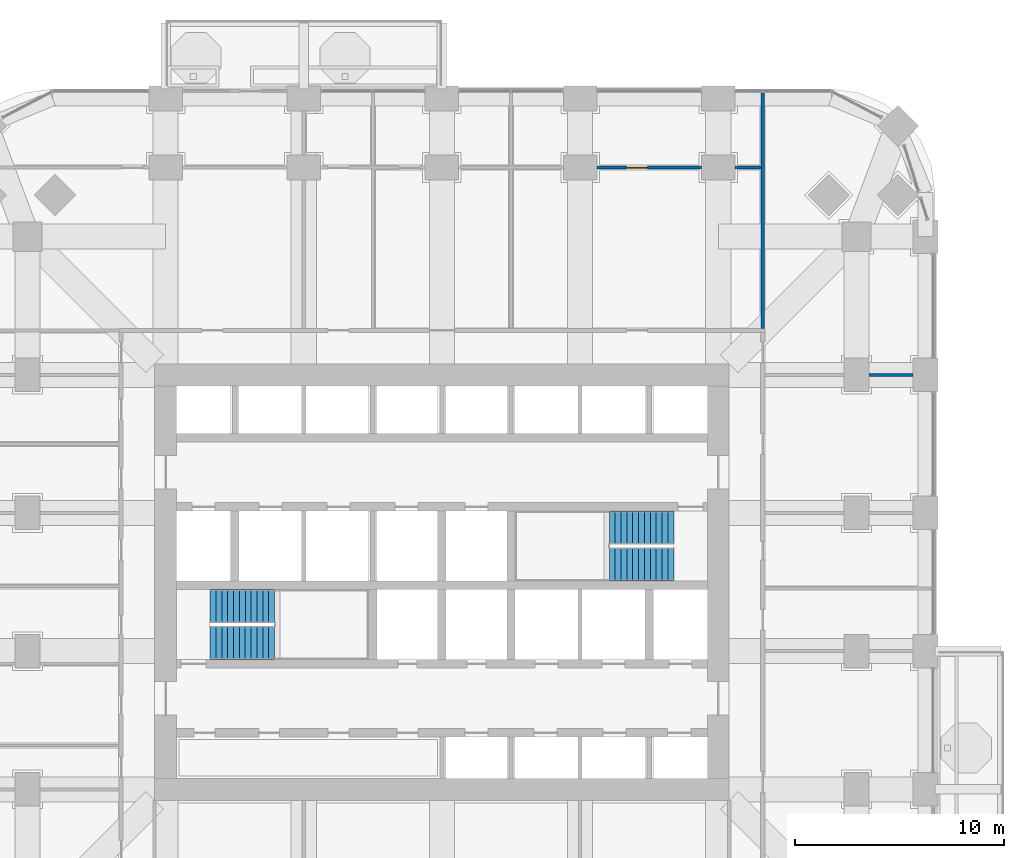
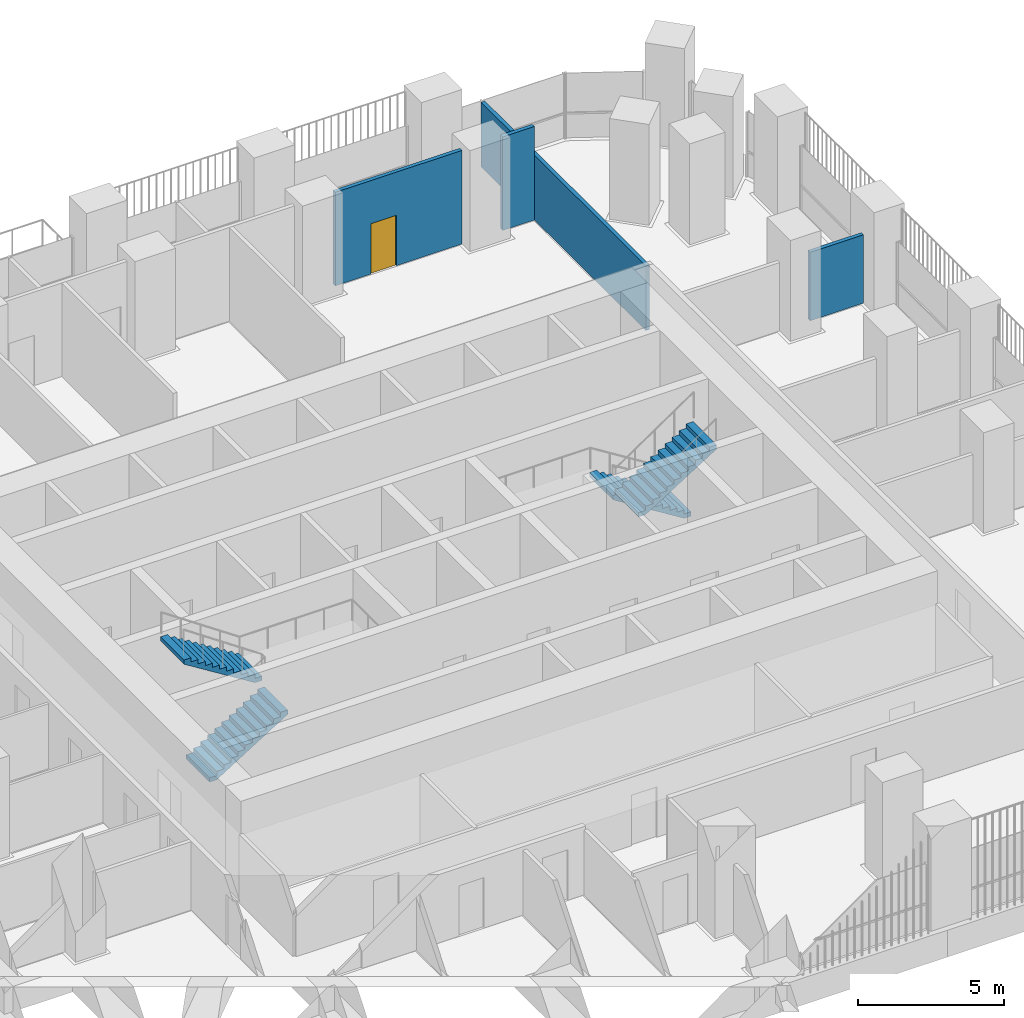
# One storey, part 16 of 21: 4 stair flights, 4 walls, 1 door, 1 opening, 2 elements without a shape of their own.
"""IFC4 building model written with IfcOpenShell, lengths in metres."""

from ifc_helpers import new_model, si_unit, direction, frame, frame_2d, origin, place, context, subcontext, project, spatial, polyline, rectangle, outline, extrude, material, layer, layer_set, type_object, element, fill, aggregate, save


model = new_model("IFC4")

# Units and contexts
model_context = context("Model", 3, precision=1e-05, world=origin(), true_north=direction((0.0, 1.0)))
body_context = subcontext(model_context, "Body", "Model", "MODEL_VIEW")
ifc_project = project(units=[si_unit("LENGTHUNIT", "METRE"), si_unit("AREAUNIT", "SQUARE_METRE"), si_unit("VOLUMEUNIT", "CUBIC_METRE"), si_unit("PLANEANGLEUNIT", "RADIAN"), si_unit("MASSUNIT", "GRAM", prefix="KILO")], contexts=[model_context])

# Site, building, storey
site_placement = place(None, origin())
site = spatial("IfcSite", under=ifc_project, at=site_placement, CompositionType="ELEMENT")
building_placement = place(site_placement, origin())
building = spatial("IfcBuilding", under=site, at=building_placement, Name="Cobogo Forest Laboratory Tower", CompositionType="ELEMENT")
storey_placement = place(building_placement, frame((0.0, 0.0, 90.60009765625)))
storey = spatial("IfcBuildingStorey", under=building, at=storey_placement, Name="L20", CompositionType="ELEMENT", Elevation=90.60009765625)

# Walls
ifc_material_1 = material(Name="Gypsum board on steel studs", Category="steel")
ifc_layer = layer(ifc_material_1, 0.14990234375)
ifc_layer_set = layer_set([ifc_layer], Name="PT1 laboratory partition 150")
wall_type = type_object("IfcWallType", Name="PT1 laboratory partition 150", PredefinedType="PARTITIONING", material=ifc_layer_set)
wall_1_placement = place(storey_placement, frame((41.72509765625, 46.469970703125, 0.0), z_axis=(0.0, 0.0, 1.0), x_axis=(0.0, -1.0, 0.0)))
element("IfcWall", 1, at=wall_1_placement, inside=storey, type_object=wall_type, Name="Partition PW-NE L20", PredefinedType="PARTITIONING", context=body_context, shape_type="SweptSolid", body=[
    extrude(rectangle(XDim=11.244873046875, YDim=0.14990234375, at=frame_2d((5.62255859375, 0.0))), origin(), (0.0, 0.0, 1.0), 2.699951171875),
])
wall_2_placement = place(storey_placement, frame((48.89990234375, 33.0, 0.0), z_axis=(0.0, 0.0, 1.0), x_axis=(-1.0, 0.0, 0.0)))
element("IfcWall", 2, at=wall_2_placement, inside=storey, type_object=wall_type, Name="Partition CUT-E33-1 L20", PredefinedType="PARTITIONING", context=body_context, shape_type="SweptSolid", body=[
    extrude(rectangle(XDim=2.099853515625, YDim=0.14990234375, at=frame_2d((1.0498046875, 0.0))), origin(), (0.0, 0.0, 1.0), 2.849853515625),
])
wall_3_placement = place(storey_placement, frame((41.64990234375, 42.89990234375, 0.0), z_axis=(0.0, 0.0, 1.0), x_axis=(-1.0, 0.0, 0.0)))
element("IfcWall", 3, at=wall_3_placement, inside=storey, type_object=wall_type, Name="Partition STRIP-N-1 L20", PredefinedType="PARTITIONING", context=body_context, shape_type="SweptSolid", body=[
    extrude(rectangle(XDim=1.25, YDim=0.14990234375, at=frame_2d((0.625, 0.0))), origin(), (0.0, 0.0, 1.0), 3.89990234375),
])

# Wall, opening, door
wall_4_placement = place(storey_placement, frame((38.800048828125, 42.89990234375, 0.0), z_axis=(0.0, 0.0, 1.0), x_axis=(-1.0, 0.0, 0.0)))
wall_4 = element("IfcWall", 4, at=wall_4_placement, inside=storey, type_object=wall_type, Name="Partition STRIP-N-2 L20", PredefinedType="PARTITIONING", context=body_context, shape_type="SweptSolid", body=[
    extrude(rectangle(XDim=5.0, YDim=0.14990234375, at=frame_2d((2.5, 0.0))), origin(), (0.0, 0.0, 1.0), 3.89990234375),
])
opening_placement = place(wall_4_placement, frame((2.58740234375, 0.0, 0.0)))
opening = element("IfcOpeningElement", 5, at=opening_placement, cuts=wall_4, Name="Opening L20-D44", PredefinedType="OPENING", context=body_context, shape_type="SweptSolid", body=[
    extrude(rectangle(XDim=1.0, YDim=2.10009765625, at=frame_2d((0.5, 1.050048828125))), frame((0.0, 0.0849609375, 0.0), z_axis=(0.0, -1.0, 0.0), x_axis=(1.0, 0.0, 0.0)), (0.0, 0.0, 1.0), 0.169921875),
])
ifc_material_2 = material(Name="Timber fire door", Category="wood")
door_type = type_object("IfcDoorType", Name="FD2 fire door 1000 EI2 30", OperationType="SINGLE_SWING_LEFT", PredefinedType="DOOR", material=ifc_material_2)
door_placement = place(opening_placement, origin())
door = element("IfcDoor", 6, at=door_placement, inside=storey, type_object=door_type, Name="Door L20-N4W", OperationType="SINGLE_SWING_RIGHT", OverallHeight=2.10009765625, OverallWidth=1.0, PredefinedType="DOOR", context=body_context, shape_type="SweptSolid", body=[
    extrude(rectangle(XDim=1.0, YDim=2.10009765625, at=frame_2d((0.5, 1.050048828125))), frame((0.0, 0.02490234375, 0.0), z_axis=(0.0, -1.0, 0.0), x_axis=(1.0, 0.0, 0.0)), (0.0, 0.0, 1.0), 0.050048828125),
])
fill(opening, door)

# Stair, stair flights
ifc_material_3 = material(Name="Precast concrete HA-40 (C40/50)", Category="concrete")
stair_type = type_object("IfcStairType", Name="ST24 exit stair 24 risers", PredefinedType="HALF_TURN_STAIR", material=ifc_material_3)
stair_1_placement = place(storey_placement, origin())
stair_1 = element("IfcStair", 7, at=stair_1_placement, inside=storey, type_object=stair_type, Name="Stair 1 L20 to L21", PredefinedType="HALF_TURN_STAIR")
stair_flight_type = type_object("IfcStairFlightType", Name="ST stair flight 280 going", PredefinedType="STRAIGHT", material=ifc_material_3)
stair_flight_1_placement = place(storey_placement, frame((15.324951171875, 20.199951171875, 0.0), z_axis=(0.0, 0.0, 1.0), x_axis=(1.0, 0.0, 0.0)))
stair_flight_1 = element("IfcStairFlight", 8, at=stair_flight_1_placement, type_object=stair_flight_type, Name="ST1 flight 1", NumberOfRisers=12, NumberOfTreads=11, PredefinedType="STRAIGHT", RiserHeight=0.175, TreadLength=0.28, context=body_context, shape_type="SweptSolid", body=[
    extrude(outline(polyline([(0.0, 0.0), (0.0, 0.175048828125), (0.280029296875, 0.175048828125), (0.280029296875, 0.35009765625), (0.56005859375, 0.35009765625), (0.56005859375, 0.52490234375), (0.840087890625, 0.52490234375), (0.840087890625, 0.699951171875), (1.1201171875, 0.699951171875), (1.1201171875, 0.875), (1.39990234375, 0.875), (1.39990234375, 1.050048828125), (1.679931640625, 1.050048828125), (1.679931640625, 1.22509765625), (1.9599609375, 1.22509765625), (1.9599609375, 1.39990234375), (2.239990234375, 1.39990234375), (2.239990234375, 1.574951171875), (2.52001953125, 1.574951171875), (2.52001953125, 1.75), (2.800048828125, 1.75), (2.800048828125, 1.925048828125), (3.080078125, 1.925048828125), (3.080078125, 2.10009765625), (3.080078125, 1.748291015625), (0.28271484375, 0.0), (0.0, 0.0)])), frame((0.0, 0.800048828125, 0.0), z_axis=(0.0, -1.0, 0.0), x_axis=(1.0, 0.0, 0.0)), (0.0, 0.0, 1.0), 1.60009765625),
])
stair_flight_2_placement = place(storey_placement, frame((18.405029296875, 21.949951171875, 2.099853515625), z_axis=(0.0, 0.0, 1.0), x_axis=(-1.0, 0.0, 0.0)))
stair_flight_2 = element("IfcStairFlight", 9, at=stair_flight_2_placement, type_object=stair_flight_type, Name="ST1 flight 2", NumberOfRisers=12, NumberOfTreads=11, PredefinedType="STRAIGHT", RiserHeight=0.175, TreadLength=0.28, context=body_context, shape_type="SweptSolid", body=[
    extrude(outline(polyline([(0.0, 0.0), (0.0, 0.175048828125), (0.280029296875, 0.175048828125), (0.280029296875, 0.35009765625), (0.56005859375, 0.35009765625), (0.56005859375, 0.52490234375), (0.840087890625, 0.52490234375), (0.840087890625, 0.699951171875), (1.1201171875, 0.699951171875), (1.1201171875, 0.875), (1.39990234375, 0.875), (1.39990234375, 1.050048828125), (1.679931640625, 1.050048828125), (1.679931640625, 1.22509765625), (1.9599609375, 1.22509765625), (1.9599609375, 1.39990234375), (2.239990234375, 1.39990234375), (2.239990234375, 1.574951171875), (2.52001953125, 1.574951171875), (2.52001953125, 1.75), (2.800048828125, 1.75), (2.800048828125, 1.925048828125), (3.080078125, 1.925048828125), (3.080078125, 2.10009765625), (3.080078125, 1.748291015625), (0.28271484375, 0.0), (0.0, 0.0)])), frame((0.0, 0.800048828125, 0.0), z_axis=(0.0, -1.0, 0.0), x_axis=(1.0, 0.0, 0.0)), (0.0, 0.0, 1.0), 1.60009765625),
])
aggregate(stair_1, [stair_flight_1, stair_flight_2])

stair_2_placement = place(storey_placement, origin())
stair_2 = element("IfcStair", 10, at=stair_2_placement, inside=storey, type_object=stair_type, Name="Stair 2 L20 to L21", PredefinedType="HALF_TURN_STAIR")
stair_flight_3_placement = place(storey_placement, frame((37.47509765625, 25.699951171875, 0.0), z_axis=(0.0, 0.0, 1.0), x_axis=(-1.0, 0.0, 0.0)))
stair_flight_3 = element("IfcStairFlight", 11, at=stair_flight_3_placement, type_object=stair_flight_type, Name="ST2 flight 1", NumberOfRisers=12, NumberOfTreads=11, PredefinedType="STRAIGHT", RiserHeight=0.175, TreadLength=0.28, context=body_context, shape_type="SweptSolid", body=[
    extrude(outline(polyline([(0.0, 0.0), (0.0, 0.175048828125), (0.280029296875, 0.175048828125), (0.280029296875, 0.35009765625), (0.56005859375, 0.35009765625), (0.56005859375, 0.52490234375), (0.840087890625, 0.52490234375), (0.840087890625, 0.699951171875), (1.1201171875, 0.699951171875), (1.1201171875, 0.875), (1.39990234375, 0.875), (1.39990234375, 1.050048828125), (1.679931640625, 1.050048828125), (1.679931640625, 1.22509765625), (1.9599609375, 1.22509765625), (1.9599609375, 1.39990234375), (2.239990234375, 1.39990234375), (2.239990234375, 1.574951171875), (2.52001953125, 1.574951171875), (2.52001953125, 1.75), (2.800048828125, 1.75), (2.800048828125, 1.925048828125), (3.080078125, 1.925048828125), (3.080078125, 2.10009765625), (3.080078125, 1.748291015625), (0.28271484375, 0.0), (0.0, 0.0)])), frame((0.0, 0.800048828125, 0.0), z_axis=(0.0, -1.0, 0.0), x_axis=(1.0, 0.0, 0.0)), (0.0, 0.0, 1.0), 1.60009765625),
])
stair_flight_4_placement = place(storey_placement, frame((34.39501953125, 23.949951171875, 2.099853515625), z_axis=(0.0, 0.0, 1.0), x_axis=(1.0, 0.0, 0.0)))
stair_flight_4 = element("IfcStairFlight", 12, at=stair_flight_4_placement, type_object=stair_flight_type, Name="ST2 flight 2", NumberOfRisers=12, NumberOfTreads=11, PredefinedType="STRAIGHT", RiserHeight=0.175, TreadLength=0.28, context=body_context, shape_type="SweptSolid", body=[
    extrude(outline(polyline([(0.0, 0.0), (0.0, 0.175048828125), (0.280029296875, 0.175048828125), (0.280029296875, 0.35009765625), (0.56005859375, 0.35009765625), (0.56005859375, 0.52490234375), (0.840087890625, 0.52490234375), (0.840087890625, 0.699951171875), (1.1201171875, 0.699951171875), (1.1201171875, 0.875), (1.39990234375, 0.875), (1.39990234375, 1.050048828125), (1.679931640625, 1.050048828125), (1.679931640625, 1.22509765625), (1.9599609375, 1.22509765625), (1.9599609375, 1.39990234375), (2.239990234375, 1.39990234375), (2.239990234375, 1.574951171875), (2.52001953125, 1.574951171875), (2.52001953125, 1.75), (2.800048828125, 1.75), (2.800048828125, 1.925048828125), (3.080078125, 1.925048828125), (3.080078125, 2.10009765625), (3.080078125, 1.748291015625), (0.28271484375, 0.0), (0.0, 0.0)])), frame((0.0, 0.800048828125, 0.0), z_axis=(0.0, -1.0, 0.0), x_axis=(1.0, 0.0, 0.0)), (0.0, 0.0, 1.0), 1.60009765625),
])
aggregate(stair_2, [stair_flight_3, stair_flight_4])

save(model, "model.ifc")
